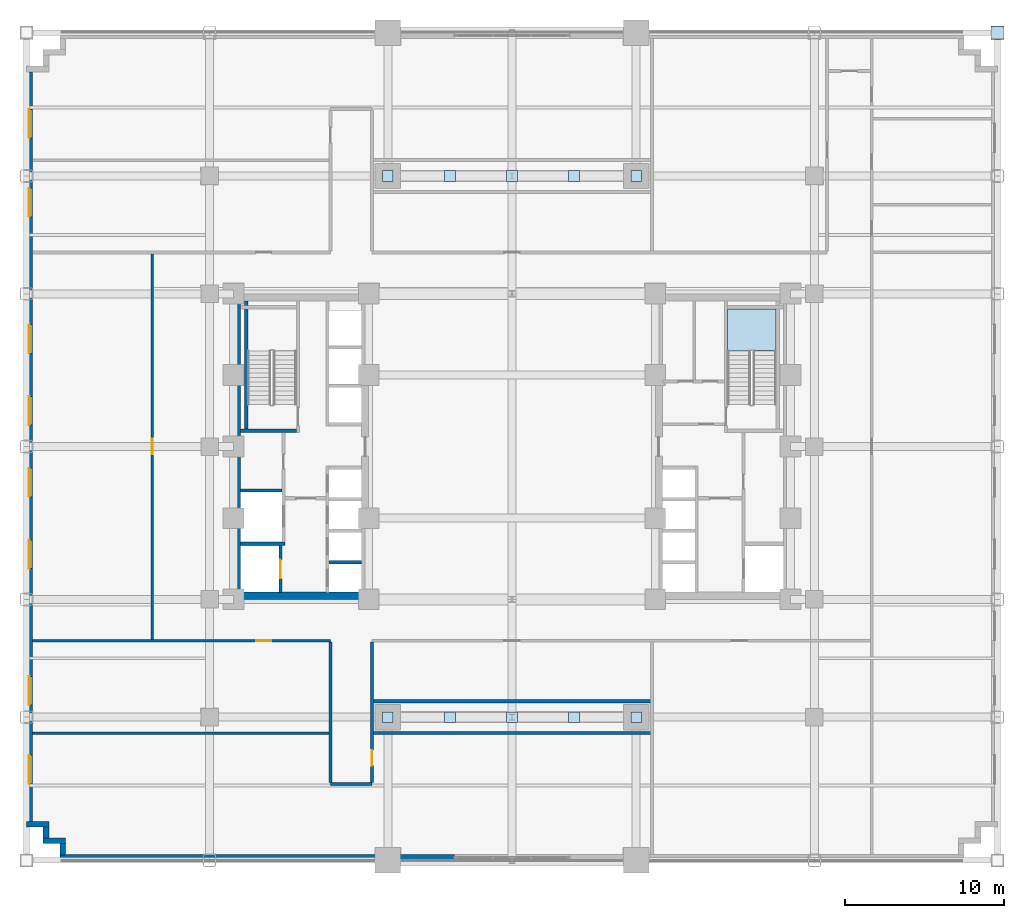
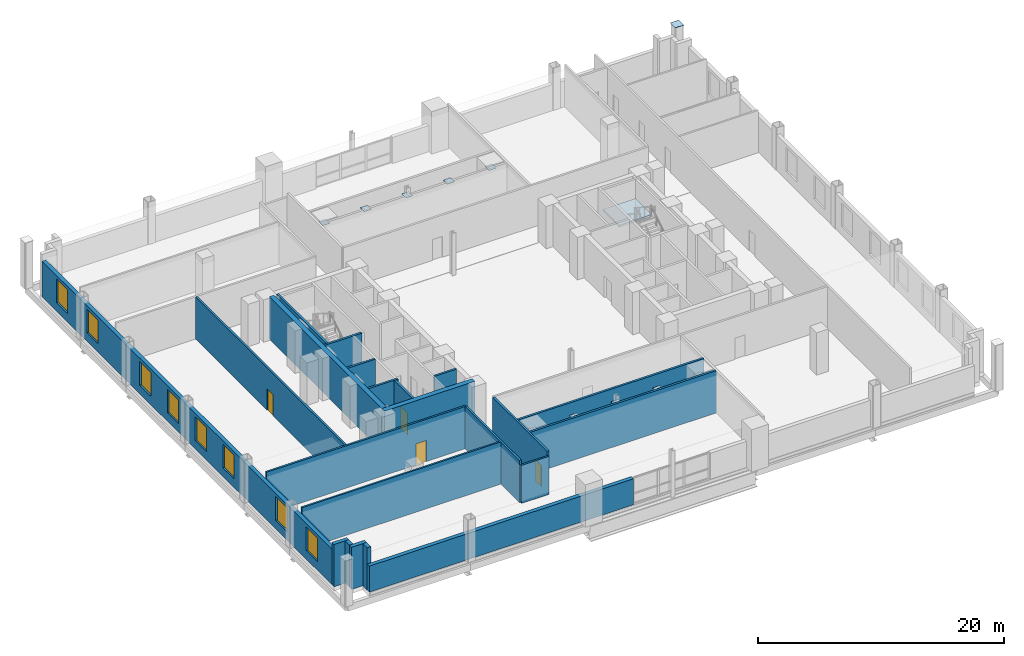
# One storey, part 6 of 17: 22 walls, 11 plates, 8 windows, 4 doors, 1 slab, 12 openings, 1 element without a shape of its own.
"""IFC4 building model written with IfcOpenShell, lengths in metres."""

from ifc_helpers import new_model, si_unit, direction, frame, frame_2d, origin, origin_2d, place, context, subcontext, project, spatial, polyline, rectangle, outline, extrude, source, transform, mapped, material, layer, layer_set, type_object, type_shapes, element, fill, aggregate, save


model = new_model("IFC4")

# Units and contexts
model_context = context("Model", 3, precision=1e-05, world=origin(), true_north=direction((0.0, 1.0)))
body_context = subcontext(model_context, "Body", "Model", "MODEL_VIEW")
ifc_project = project(units=[si_unit("LENGTHUNIT", "METRE"), si_unit("AREAUNIT", "SQUARE_METRE"), si_unit("VOLUMEUNIT", "CUBIC_METRE"), si_unit("PLANEANGLEUNIT", "RADIAN"), si_unit("MASSUNIT", "GRAM", prefix="KILO")], contexts=[model_context])

# Site, building, storey
site_placement = place(None, origin())
site = spatial("IfcSite", under=ifc_project, at=site_placement, CompositionType="ELEMENT")
building_placement = place(site_placement, origin())
building = spatial("IfcBuilding", under=site, at=building_placement, Name="Nuvemarco Arch Tower", CompositionType="ELEMENT")
storey_placement = place(building_placement, frame((0.0, 0.0, 18.39990234375)))
storey = spatial("IfcBuildingStorey", under=building, at=storey_placement, Name="L04", CompositionType="ELEMENT", Elevation=18.39990234375)

# Stair, slab
ifc_material_1 = material(Name="Precast concrete C45/55", Category="concrete")
stair_type = type_object("IfcStairType", Name="ST-CORE-26R", PredefinedType="HALF_TURN_STAIR", material=ifc_material_1)
stair_placement = place(storey_placement, origin())
stair = element("IfcStair", 1, at=stair_placement, inside=storey, type_object=stair_type, Name="L04 Protected Exit Stair ST-2", PredefinedType="HALF_TURN_STAIR")
ifc_layer_1 = layer(ifc_material_1, 0.199951171875, Name="SL-LANDING-200")
ifc_layer_set_1 = layer_set([ifc_layer_1], Name="Precast concrete C45/55")
slab_type = type_object("IfcSlabType", Name="SL-LANDING-200", PredefinedType="LANDING", material=ifc_layer_set_1)
slab_placement = place(storey_placement, frame((0.0, 0.0, 2.10009765625)))
slab = element("IfcSlab", 2, at=slab_placement, type_object=slab_type, Name="ST-26R landing 1", PredefinedType="LANDING", context=body_context, shape_type="SweptSolid", body=[
    extrude(outline(polyline([(16.60009765625, 6.029296875), (16.60009765625, 8.64990234375), (13.5400390625, 8.64990234375), (13.5400390625, 6.010009765625), (15.070068359375, 6.010009765625), (15.070068359375, 6.029296875), (16.60009765625, 6.029296875)])), origin(), (0.0, 0.0, 1.0), 0.199951171875),
])
aggregate(stair, [slab])

# Plates
ifc_material_2 = material(Name="Steel S355", Category="steel")
ifc_layer_2 = layer(ifc_material_2, 0.030029296875, Name="PL-CAP-650")
ifc_layer_set_2 = layer_set([ifc_layer_2], Name="Steel S355")
plate_type_1 = type_object("IfcPlateType", Name="PL-CAP-650", PredefinedType="SHEET", material=ifc_layer_set_2)
shared_shape_1 = source(origin(), body_context, "Body", "SweptSolid", [
    extrude(rectangle(XDim=0.669921875, YDim=0.669921875, at=origin_2d()), origin(), (0.0, 0.0, 1.0), 0.030029296875),
])
type_shapes(plate_type_1, [shared_shape_1])
for number, where, z_axis, x_axis, name in (
    (3, (-3.89990234375, -17.0, 3.38525390625), (0.0, 0.0, 1.0), (1.0, 0.0, 0.0), "Hollow steel end-cap plate AT_DG_L04_-17.0_0_C1"),
    (4, (3.89990234375, -17.0, 3.38525390625), (0.0, 0.0, 1.0), (1.0, 0.0, 0.0), "Hollow steel end-cap plate AT_DG_L04_-17.0_2_C1"),
    (5, (-7.800048828125, -17.0, 3.38525390625), (0.0, 0.0, 1.0), (1.0, 0.0, 0.0), "Hollow steel end-cap plate AT_DG_L05_-17.0_0_C0"),
    (6, (0.0, -17.0, 3.38525390625), (0.0, 0.0, 1.0), (1.0, 0.0, 0.0), "Hollow steel end-cap plate AT_DG_L05_-17.0_1_C1"),
    (7, (7.800048828125, -17.0, 3.38525390625), (0.0, 0.0, 1.0), (1.0, 0.0, 0.0), "Hollow steel end-cap plate AT_DG_L05_-17.0_3_C1"),
    (8, (-3.89990234375, 17.0, 3.38525390625), (0.0, 0.0, 1.0), (1.0, 0.0, 0.0), "Hollow steel end-cap plate AT_DG_L04_+17.0_0_C1"),
    (9, (3.89990234375, 17.0, 3.38525390625), (0.0, 0.0, 1.0), (1.0, 0.0, 0.0), "Hollow steel end-cap plate AT_DG_L04_+17.0_2_C1"),
    (10, (-7.800048828125, 17.0, 3.38525390625), (0.0, 0.0, 1.0), (1.0, 0.0, 0.0), "Hollow steel end-cap plate AT_DG_L05_+17.0_0_C0"),
    (11, (0.0, 17.0, 3.38525390625), (0.0, 0.0, 1.0), (1.0, 0.0, 0.0), "Hollow steel end-cap plate AT_DG_L05_+17.0_1_C1"),
    (12, (7.800048828125, 17.0, 3.38525390625), (0.0, 0.0, 1.0), (1.0, 0.0, 0.0), "Hollow steel end-cap plate AT_DG_L05_+17.0_3_C1"),
):
    element("IfcPlate", number, at=place(storey_placement, frame(where, z_axis=z_axis, x_axis=x_axis)), inside=storey, type_object=plate_type_1, Name=name, PredefinedType="SHEET", context=body_context, shape_type="MappedRepresentation", body=[
        mapped(shared_shape_1, transform((0.0, 0.0, 0.0), scale=1.0)),
    ])
ifc_material_3 = material(Name="Steel S460", Category="steel")
ifc_layer_3 = layer(ifc_material_3, 0.030029296875, Name="PL-CAP-800-EXT")
ifc_layer_set_3 = layer_set([ifc_layer_3], Name="Steel S460")
plate_type_2 = type_object("IfcPlateType", Name="PL-CAP-800-EXT", PredefinedType="SHEET", material=ifc_layer_set_3)
shared_shape_2 = source(origin(), body_context, "Body", "SweptSolid", [
    extrude(rectangle(XDim=0.820068359375, YDim=0.820068359375, at=origin_2d()), origin(), (0.0, 0.0, 1.0), 0.030029296875),
])
type_shapes(plate_type_2, [shared_shape_2])
plate_placement = place(storey_placement, frame((30.5, 26.0, 4.18505859375), z_axis=(0.0, 0.0, 1.0), x_axis=(1.0, 0.0, 0.0)))
element("IfcPlate", 13, at=plate_placement, inside=storey, type_object=plate_type_2, Name="Hollow steel end-cap plate COL-L04-CP_+30.5_+26.0_TOP", PredefinedType="SHEET", context=body_context, shape_type="MappedRepresentation", body=[
    mapped(shared_shape_2, transform((0.0, 0.0, 0.0), scale=1.0)),
])

# Wall
ifc_layer_4 = layer(ifc_material_1, 0.360107421875, Name="EW-POD-360")
ifc_layer_set_4 = layer_set([ifc_layer_4], Name="Precast concrete C45/55")
wall_type_1 = type_object("IfcWallType", Name="EW-POD-360", PredefinedType="STANDARD", material=ifc_layer_set_4)
wall_1_placement = place(storey_placement, frame((-28.39990234375, -25.820068359375, 0.0), z_axis=(0.0, 0.0, 1.0), x_axis=(1.0, 0.0, 0.0)))
element("IfcWall", 14, at=wall_1_placement, inside=storey, type_object=wall_type_1, Name="L04 exterior precast pier wall south left", PredefinedType="STANDARD", context=body_context, shape_type="SweptSolid", body=[
    extrude(rectangle(XDim=24.7998046875, YDim=0.360107421875, at=frame_2d((12.39990234375, 0.0))), origin(), (0.0, 0.0, 1.0), 2.585205078125),
])

# Wall, openings, windows
wall_2_placement = place(storey_placement, frame((-30.320068359375, -23.5439453125, 0.0), z_axis=(0.0, 0.0, 1.0), x_axis=(0.0, 1.0, 0.0)))
wall_2 = element("IfcWall", 15, at=wall_2_placement, inside=storey, type_object=wall_type_1, Name="L04 exterior precast facade wall 16", PredefinedType="STANDARD", context=body_context, shape_type="SweptSolid", body=[
    extrude(rectangle(XDim=47.087890625, YDim=0.360107421875, at=frame_2d((23.5439453125, 0.0))), origin(), (0.0, 0.0, 1.0), 3.53515625),
])
opening_1_placement = place(wall_2_placement, frame((2.3544921875, 0.0, 0.85009765625)))
opening_1 = element("IfcOpeningElement", 16, at=opening_1_placement, cuts=wall_2, Name="Opening WN-2", PredefinedType="OPENING", context=body_context, shape_type="SweptSolid", body=[
    extrude(rectangle(XDim=1.800048828125, YDim=2.35009765625, at=frame_2d((0.89990234375, 1.175048828125))), frame((0.0, 0.18994140625, 0.0), z_axis=(0.0, -1.0, 0.0), x_axis=(1.0, 0.0, 0.0)), (0.0, 0.0, 1.0), 0.380126953125),
])
opening_2_placement = place(wall_2_placement, frame((7.313232421875, 0.0, 0.85009765625)))
opening_2 = element("IfcOpeningElement", 17, at=opening_2_placement, cuts=wall_2, Name="Opening WN-2", PredefinedType="OPENING", context=body_context, shape_type="SweptSolid", body=[
    extrude(rectangle(XDim=1.800048828125, YDim=2.35009765625, at=frame_2d((0.89990234375, 1.175048828125))), frame((0.0, 0.18994140625, 0.0), z_axis=(0.0, -1.0, 0.0), x_axis=(1.0, 0.0, 0.0)), (0.0, 0.0, 1.0), 0.380126953125),
])
opening_3_placement = place(wall_2_placement, frame((15.880859375, 0.0, 0.85009765625)))
opening_3 = element("IfcOpeningElement", 18, at=opening_3_placement, cuts=wall_2, Name="Opening WN-2", PredefinedType="OPENING", context=body_context, shape_type="SweptSolid", body=[
    extrude(rectangle(XDim=1.800048828125, YDim=2.35009765625, at=frame_2d((0.89990234375, 1.175048828125))), frame((0.0, 0.18994140625, 0.0), z_axis=(0.0, -1.0, 0.0), x_axis=(1.0, 0.0, 0.0)), (0.0, 0.0, 1.0), 0.380126953125),
])
opening_4_placement = place(wall_2_placement, frame((20.3896484375, 0.0, 0.85009765625)))
opening_4 = element("IfcOpeningElement", 19, at=opening_4_placement, cuts=wall_2, Name="Opening WN-2", PredefinedType="OPENING", context=body_context, shape_type="SweptSolid", body=[
    extrude(rectangle(XDim=1.800048828125, YDim=2.35009765625, at=frame_2d((0.89990234375, 1.175048828125))), frame((0.0, 0.18994140625, 0.0), z_axis=(0.0, -1.0, 0.0), x_axis=(1.0, 0.0, 0.0)), (0.0, 0.0, 1.0), 0.380126953125),
])
opening_5_placement = place(wall_2_placement, frame((24.8984375, 0.0, 0.85009765625)))
opening_5 = element("IfcOpeningElement", 20, at=opening_5_placement, cuts=wall_2, Name="Opening WN-2", PredefinedType="OPENING", context=body_context, shape_type="SweptSolid", body=[
    extrude(rectangle(XDim=1.800048828125, YDim=2.35009765625, at=frame_2d((0.89990234375, 1.175048828125))), frame((0.0, 0.18994140625, 0.0), z_axis=(0.0, -1.0, 0.0), x_axis=(1.0, 0.0, 0.0)), (0.0, 0.0, 1.0), 0.380126953125),
])
opening_6_placement = place(wall_2_placement, frame((29.4072265625, 0.0, 0.85009765625)))
opening_6 = element("IfcOpeningElement", 21, at=opening_6_placement, cuts=wall_2, Name="Opening WN-2", PredefinedType="OPENING", context=body_context, shape_type="SweptSolid", body=[
    extrude(rectangle(XDim=1.800048828125, YDim=2.35009765625, at=frame_2d((0.89990234375, 1.175048828125))), frame((0.0, 0.18994140625, 0.0), z_axis=(0.0, -1.0, 0.0), x_axis=(1.0, 0.0, 0.0)), (0.0, 0.0, 1.0), 0.380126953125),
])
opening_7_placement = place(wall_2_placement, frame((37.974853515625, 0.0, 0.85009765625)))
opening_7 = element("IfcOpeningElement", 22, at=opening_7_placement, cuts=wall_2, Name="Opening WN-2", PredefinedType="OPENING", context=body_context, shape_type="SweptSolid", body=[
    extrude(rectangle(XDim=1.800048828125, YDim=2.35009765625, at=frame_2d((0.89990234375, 1.175048828125))), frame((0.0, 0.18994140625, 0.0), z_axis=(0.0, -1.0, 0.0), x_axis=(1.0, 0.0, 0.0)), (0.0, 0.0, 1.0), 0.380126953125),
])
opening_8_placement = place(wall_2_placement, frame((42.93359375, 0.0, 0.85009765625)))
opening_8 = element("IfcOpeningElement", 23, at=opening_8_placement, cuts=wall_2, Name="Opening WN-2", PredefinedType="OPENING", context=body_context, shape_type="SweptSolid", body=[
    extrude(rectangle(XDim=1.800048828125, YDim=2.35009765625, at=frame_2d((0.89990234375, 1.175048828125))), frame((0.0, 0.18994140625, 0.0), z_axis=(0.0, -1.0, 0.0), x_axis=(1.0, 0.0, 0.0)), (0.0, 0.0, 1.0), 0.380126953125),
])
ifc_material_4 = material(Name="Insulated solar-control glass", Category="glass")
window_type = type_object("IfcWindowType", Name="WN-POD-1800x2350", PartitioningType="DOUBLE_PANEL_VERTICAL", PredefinedType="WINDOW", material=ifc_material_4)
shared_shape_3 = source(origin(), body_context, "Body", "SweptSolid", [
    extrude(rectangle(XDim=1.800048828125, YDim=2.35009765625, at=frame_2d((0.89990234375, 1.175048828125))), frame((0.0, 0.030029296875, 0.0), z_axis=(0.0, -1.0, 0.0), x_axis=(1.0, 0.0, 0.0)), (0.0, 0.0, 1.0), 0.06005859375),
])
type_shapes(window_type, [shared_shape_3])
window_1_placement = place(opening_1_placement, origin())
window_1 = element("IfcWindow", 24, at=window_1_placement, inside=storey, type_object=window_type, Name="L04 punched facade window 1", OverallHeight=2.35009765625, OverallWidth=1.800048828125, PartitioningType="SINGLE_PANEL", PredefinedType="WINDOW", context=body_context, shape_type="MappedRepresentation", body=[
    mapped(shared_shape_3, transform((0.0, 0.0, 0.0), scale=1.0)),
])
fill(opening_1, window_1)
window_2_placement = place(opening_2_placement, origin())
window_2 = element("IfcWindow", 25, at=window_2_placement, inside=storey, type_object=window_type, Name="L04 punched facade window 2", OverallHeight=2.35009765625, OverallWidth=1.800048828125, PartitioningType="SINGLE_PANEL", PredefinedType="WINDOW", context=body_context, shape_type="MappedRepresentation", body=[
    mapped(shared_shape_3, transform((0.0, 0.0, 0.0), scale=1.0)),
])
fill(opening_2, window_2)
window_3_placement = place(opening_3_placement, origin())
window_3 = element("IfcWindow", 26, at=window_3_placement, inside=storey, type_object=window_type, Name="L04 punched facade window 4", OverallHeight=2.35009765625, OverallWidth=1.800048828125, PartitioningType="SINGLE_PANEL", PredefinedType="WINDOW", context=body_context, shape_type="MappedRepresentation", body=[
    mapped(shared_shape_3, transform((0.0, 0.0, 0.0), scale=1.0)),
])
fill(opening_3, window_3)
window_4_placement = place(opening_4_placement, origin())
window_4 = element("IfcWindow", 27, at=window_4_placement, inside=storey, type_object=window_type, Name="L04 punched facade window 5", OverallHeight=2.35009765625, OverallWidth=1.800048828125, PartitioningType="SINGLE_PANEL", PredefinedType="WINDOW", context=body_context, shape_type="MappedRepresentation", body=[
    mapped(shared_shape_3, transform((0.0, 0.0, 0.0), scale=1.0)),
])
fill(opening_4, window_4)
window_5_placement = place(opening_5_placement, origin())
window_5 = element("IfcWindow", 28, at=window_5_placement, inside=storey, type_object=window_type, Name="L04 punched facade window 6", OverallHeight=2.35009765625, OverallWidth=1.800048828125, PartitioningType="SINGLE_PANEL", PredefinedType="WINDOW", context=body_context, shape_type="MappedRepresentation", body=[
    mapped(shared_shape_3, transform((0.0, 0.0, 0.0), scale=1.0)),
])
fill(opening_5, window_5)
window_6_placement = place(opening_6_placement, origin())
window_6 = element("IfcWindow", 29, at=window_6_placement, inside=storey, type_object=window_type, Name="L04 punched facade window 7", OverallHeight=2.35009765625, OverallWidth=1.800048828125, PartitioningType="SINGLE_PANEL", PredefinedType="WINDOW", context=body_context, shape_type="MappedRepresentation", body=[
    mapped(shared_shape_3, transform((0.0, 0.0, 0.0), scale=1.0)),
])
fill(opening_6, window_6)
window_7_placement = place(opening_7_placement, origin())
window_7 = element("IfcWindow", 30, at=window_7_placement, inside=storey, type_object=window_type, Name="L04 punched facade window 9", OverallHeight=2.35009765625, OverallWidth=1.800048828125, PartitioningType="SINGLE_PANEL", PredefinedType="WINDOW", context=body_context, shape_type="MappedRepresentation", body=[
    mapped(shared_shape_3, transform((0.0, 0.0, 0.0), scale=1.0)),
])
fill(opening_7, window_7)
window_8_placement = place(opening_8_placement, origin())
window_8 = element("IfcWindow", 31, at=window_8_placement, inside=storey, type_object=window_type, Name="L04 punched facade window 10", OverallHeight=2.35009765625, OverallWidth=1.800048828125, PartitioningType="SINGLE_PANEL", PredefinedType="WINDOW", context=body_context, shape_type="MappedRepresentation", body=[
    mapped(shared_shape_3, transform((0.0, 0.0, 0.0), scale=1.0)),
])
fill(opening_8, window_8)

# Walls
wall_3_placement = place(storey_placement, frame((-30.5, -23.719970703125, 0.0), z_axis=(0.0, 0.0, 1.0), x_axis=(1.0, 0.0, 0.0)))
element("IfcWall", 32, at=wall_3_placement, inside=storey, type_object=wall_type_1, Name="L04 exterior precast facade wall 17", PredefinedType="STANDARD", context=body_context, shape_type="SweptSolid", body=[
    extrude(rectangle(XDim=1.409912109375, YDim=0.360107421875, at=frame_2d((0.705078125, 0.0))), origin(), (0.0, 0.0, 1.0), 4.190185546875),
])
wall_4_placement = place(storey_placement, frame((-29.27001953125, -24.593994140625, 0.0), z_axis=(0.0, 0.0, 1.0), x_axis=(0.0, 1.0, 0.0)))
element("IfcWall", 33, at=wall_4_placement, inside=storey, type_object=wall_type_1, Name="L04 exterior precast facade wall 18", PredefinedType="STANDARD", context=body_context, shape_type="SweptSolid", body=[
    extrude(rectangle(XDim=0.697998046875, YDim=0.360107421875, at=frame_2d((0.34912109375, 0.0))), origin(), (0.0, 0.0, 1.0), 4.190185546875),
])
wall_5_placement = place(storey_placement, frame((-29.449951171875, -24.77001953125, 0.0), z_axis=(0.0, 0.0, 1.0), x_axis=(1.0, 0.0, 0.0)))
element("IfcWall", 34, at=wall_5_placement, inside=storey, type_object=wall_type_1, Name="L04 exterior precast facade wall 19", PredefinedType="STANDARD", context=body_context, shape_type="SweptSolid", body=[
    extrude(rectangle(XDim=1.409912109375, YDim=0.360107421875, at=frame_2d((0.705078125, 0.0))), origin(), (0.0, 0.0, 1.0), 4.190185546875),
])
wall_6_placement = place(storey_placement, frame((-28.219970703125, -25.64404296875, 0.0), z_axis=(0.0, 0.0, 1.0), x_axis=(0.0, 1.0, 0.0)))
element("IfcWall", 35, at=wall_6_placement, inside=storey, type_object=wall_type_1, Name="L04 exterior precast facade wall 20", PredefinedType="STANDARD", context=body_context, shape_type="SweptSolid", body=[
    extrude(rectangle(XDim=0.697998046875, YDim=0.360107421875, at=frame_2d((0.34912109375, 0.0))), origin(), (0.0, 0.0, 1.0), 4.190185546875),
])
ifc_material_5 = material(Name="Concrete C60/75", Category="concrete")
ifc_layer_5 = layer(ifc_material_5, 0.449951171875, Name="WL-CORE-450")
ifc_layer_set_5 = layer_set([ifc_layer_5], Name="Concrete C60/75")
wall_type_2 = type_object("IfcWallType", Name="WL-CORE-450", PredefinedType="SHEAR", material=ifc_layer_set_5)
wall_7_placement = place(storey_placement, frame((-17.5, -9.375, 0.0), z_axis=(0.0, 0.0, 1.0), x_axis=(1.0, 0.0, 0.0)))
element("IfcWall", 36, at=wall_7_placement, inside=storey, type_object=wall_type_2, Name="L04 W-core shear wall S", PredefinedType="SHEAR", context=body_context, shape_type="SweptSolid", body=[
    extrude(rectangle(XDim=8.5, YDim=0.449951171875, at=frame_2d((4.25, 0.0))), origin(), (0.0, 0.0, 1.0), 4.2001953125),
])
wall_8_placement = place(storey_placement, frame((-17.27490234375, -9.155029296875, 0.0), z_axis=(0.0, 0.0, 1.0), x_axis=(0.0, 1.0, 0.0)))
element("IfcWall", 37, at=wall_8_placement, inside=storey, type_object=wall_type_2, Name="L04 W-core shear wall W", PredefinedType="SHEAR", context=body_context, shape_type="SweptSolid", body=[
    extrude(rectangle(XDim=18.31005859375, YDim=0.449951171875, at=frame_2d((9.155029296875, 0.0))), origin(), (0.0, 0.0, 1.0), 4.2001953125),
])
ifc_material_6 = material(Name="Fire-rated gypsum drywall partition")
ifc_layer_6 = layer(ifc_material_6, 0.179931640625, Name="WL-CORR-180")
ifc_layer_set_6 = layer_set([ifc_layer_6], Name="Fire-rated gypsum drywall partition")
wall_type_3 = type_object("IfcWallType", Name="WL-CORR-180", PredefinedType="PARTITIONING", material=ifc_layer_set_6)
wall_9_placement = place(storey_placement, frame((-11.39990234375, -21.199951171875, 0.0), z_axis=(0.0, 0.0, 1.0), x_axis=(1.0, 0.0, 0.0)))
element("IfcWall", 38, at=wall_9_placement, inside=storey, type_object=wall_type_3, Name="L04 interior wall IW-L04-001", PredefinedType="PARTITIONING", context=body_context, shape_type="SweptSolid", body=[
    extrude(rectangle(XDim=2.599853515625, YDim=0.179931640625, at=frame_2d((1.2998046875, 0.0))), origin(), (0.0, 0.0, 1.0), 3.772216796875),
])

# Wall, opening, door
wall_10_placement = place(storey_placement, frame((-30.139892578125, -12.199951171875, 0.0), z_axis=(0.0, 0.0, 1.0), x_axis=(1.0, 0.0, 0.0)))
wall_10 = element("IfcWall", 39, at=wall_10_placement, inside=storey, type_object=wall_type_3, Name="L04 interior wall IW-L04-005", PredefinedType="PARTITIONING", context=body_context, shape_type="SweptSolid", body=[
    extrude(rectangle(XDim=18.739990234375, YDim=0.179931640625, at=frame_2d((9.3701171875, 0.0))), origin(), (0.0, 0.0, 1.0), 4.190185546875),
])
opening_9_placement = place(wall_10_placement, frame((14.06005859375, 0.0, 0.0)))
opening_9 = element("IfcOpeningElement", 40, at=opening_9_placement, cuts=wall_10, Name="Opening FD-5", PredefinedType="OPENING", context=body_context, shape_type="SweptSolid", body=[
    extrude(rectangle(XDim=0.9599609375, YDim=2.10009765625, at=frame_2d((0.47998046875, 1.050048828125))), frame((0.0, 0.099853515625, 0.0), z_axis=(0.0, -1.0, 0.0), x_axis=(1.0, 0.0, 0.0)), (0.0, 0.0, 1.0), 0.199951171875),
])
ifc_material_7 = material(Name="Timber fire door", Category="wood")
door_type_1 = type_object("IfcDoorType", Name="DR-CORR-FD", OperationType="NOTDEFINED", PredefinedType="DOOR", material=ifc_material_7)
shared_shape_4 = source(origin(), body_context, "Body", "SweptSolid", [
    extrude(rectangle(XDim=0.9599609375, YDim=2.10009765625, at=frame_2d((0.47998046875, 1.050048828125))), frame((0.0, 0.02490234375, 0.0), z_axis=(0.0, -1.0, 0.0), x_axis=(1.0, 0.0, 0.0)), (0.0, 0.0, 1.0), 0.050048828125),
])
type_shapes(door_type_1, [shared_shape_4])
door_1_placement = place(opening_9_placement, origin())
door_1 = element("IfcDoor", 41, at=door_1_placement, inside=storey, type_object=door_type_1, Name="L04 door DR-L04-BRG_SW_OFF", OperationType="SINGLE_SWING_LEFT", OverallHeight=2.10009765625, OverallWidth=0.9599609375, PredefinedType="DOOR", context=body_context, shape_type="MappedRepresentation", body=[
    mapped(shared_shape_4, transform((0.0, 0.0, 0.0), scale=1.0)),
])
fill(opening_9, door_1)

wall_11_placement = place(storey_placement, frame((-22.60009765625, -12.114013671875, 0.0), z_axis=(0.0, 0.0, 1.0), x_axis=(0.0, 1.0, 0.0)))
wall_11 = element("IfcWall", 42, at=wall_11_placement, inside=storey, type_object=wall_type_3, Name="L04 interior wall IW-L04-017", PredefinedType="PARTITIONING", context=body_context, shape_type="SweptSolid", body=[
    extrude(rectangle(XDim=24.22802734375, YDim=0.179931640625, at=frame_2d((12.114013671875, 0.0))), origin(), (0.0, 0.0, 1.0), 4.190185546875),
])
opening_10_placement = place(wall_11_placement, frame((11.634033203125, 0.0, 0.0)))
opening_10 = element("IfcOpeningElement", 43, at=opening_10_placement, cuts=wall_11, Name="Opening FD-5", PredefinedType="OPENING", context=body_context, shape_type="SweptSolid", body=[
    extrude(rectangle(XDim=0.9599609375, YDim=2.10009765625, at=frame_2d((0.47998046875, 1.050048828125))), frame((0.0, 0.099853515625, 0.0), z_axis=(0.0, -1.0, 0.0), x_axis=(1.0, 0.0, 0.0)), (0.0, 0.0, 1.0), 0.199951171875),
])
door_2_placement = place(opening_10_placement, origin())
door_2 = element("IfcDoor", 44, at=door_2_placement, inside=storey, type_object=door_type_1, Name="L04 door DR-L04-BRG_WOFF", OperationType="SINGLE_SWING_RIGHT", OverallHeight=2.10009765625, OverallWidth=0.9599609375, PredefinedType="DOOR", context=body_context, shape_type="MappedRepresentation", body=[
    mapped(shared_shape_4, transform((0.0, 0.0, 0.0), scale=1.0)),
])
fill(opening_10, door_2)

# Walls
wall_12_placement = place(storey_placement, frame((-11.39990234375, -21.114013671875, 0.0), z_axis=(0.0, 0.0, 1.0), x_axis=(0.0, 1.0, 0.0)))
element("IfcWall", 45, at=wall_12_placement, inside=storey, type_object=wall_type_3, Name="L04 interior wall IW-L04-018", PredefinedType="PARTITIONING", context=body_context, shape_type="SweptSolid", body=[
    extrude(rectangle(XDim=8.828125, YDim=0.179931640625, at=frame_2d((4.4140625, 0.0))), origin(), (0.0, 0.0, 1.0), 4.190185546875),
])
ifc_layer_7 = layer(ifc_material_1, 0.199951171875, Name="WL-PLANT-200")
ifc_layer_set_7 = layer_set([ifc_layer_7], Name="Precast concrete C45/55")
wall_type_4 = type_object("IfcWallType", Name="WL-PLANT-200", PredefinedType="STANDARD", material=ifc_layer_set_7)
for number, where, z_axis, x_axis, name in (
    (46, (-8.714111328125, -18.0, 0.0), (0.0, 0.0, 1.0), (1.0, 0.0, 0.0), "L04 interior wall IW-L04-003"),
    (47, (-8.714111328125, -16.0, 0.0), (0.0, 0.0, 1.0), (1.0, 0.0, 0.0), "L04 interior wall IW-L04-004"),
):
    element("IfcWall", number, at=place(storey_placement, frame(where, z_axis=z_axis, x_axis=x_axis)), inside=storey, type_object=wall_type_4, Name=name, PredefinedType="STANDARD", context=body_context, shape_type="SweptSolid", body=[
        extrude(rectangle(XDim=17.447998046875, YDim=0.199951171875, at=frame_2d((8.72412109375, 0.0))), origin(), (0.0, 0.0, 1.0), 4.190185546875),
    ])

# Wall, opening, door
wall_13_placement = place(storey_placement, frame((-8.800048828125, -21.114013671875, 0.0), z_axis=(0.0, 0.0, 1.0), x_axis=(0.0, 1.0, 0.0)))
wall_13 = element("IfcWall", 48, at=wall_13_placement, inside=storey, type_object=wall_type_4, Name="L04 interior wall IW-L04-020", PredefinedType="STANDARD", context=body_context, shape_type="SweptSolid", body=[
    extrude(rectangle(XDim=8.828125, YDim=0.199951171875, at=frame_2d((4.4140625, 0.0))), origin(), (0.0, 0.0, 1.0), 4.190185546875),
])
opening_11_placement = place(wall_13_placement, frame((1.076904296875, 0.0, 0.0)))
opening_11 = element("IfcOpeningElement", 49, at=opening_11_placement, cuts=wall_13, Name="Opening FD-5", PredefinedType="OPENING", context=body_context, shape_type="SweptSolid", body=[
    extrude(rectangle(XDim=0.9599609375, YDim=2.10009765625, at=frame_2d((0.47998046875, 1.050048828125))), frame((0.0, 0.10986328125, 0.0), z_axis=(0.0, -1.0, 0.0), x_axis=(1.0, 0.0, 0.0)), (0.0, 0.0, 1.0), 0.219970703125),
])
door_3_placement = place(opening_11_placement, origin())
door_3 = element("IfcDoor", 50, at=door_3_placement, inside=storey, type_object=door_type_1, Name="L04 door DR-L04-BRG_CONF", OperationType="SINGLE_SWING_RIGHT", OverallHeight=2.10009765625, OverallWidth=0.9599609375, PredefinedType="DOOR", context=body_context, shape_type="MappedRepresentation", body=[
    mapped(shared_shape_4, transform((0.0, 0.0, 0.0), scale=1.0)),
])
fill(opening_11, door_3)

# Walls
ifc_material_8 = material(Name="Concrete C50/60", Category="concrete")
ifc_layer_8 = layer(ifc_material_8, 0.199951171875, Name="WL-SHAFT-220")
ifc_layer_set_8 = layer_set([ifc_layer_8], Name="Concrete C50/60")
wall_type_5 = type_object("IfcWallType", Name="WL-SHAFT-220", PredefinedType="SHEAR", material=ifc_layer_set_8)
wall_14_placement = place(storey_placement, frame((-17.054931640625, 1.0, 0.0), z_axis=(0.0, 0.0, 1.0), x_axis=(1.0, 0.0, 0.0)))
element("IfcWall", 51, at=wall_14_placement, inside=storey, type_object=wall_type_5, Name="L04 structural shaft wall SW-L04-W-ST1S", PredefinedType="SHEAR", context=body_context, shape_type="SweptSolid", body=[
    extrude(rectangle(XDim=3.52001953125, YDim=0.199951171875, at=frame_2d((1.760009765625, 0.0))), origin(), (0.0, 0.0, 1.0), 4.2001953125),
])
wall_15_placement = place(storey_placement, frame((-16.699951171875, 1.094970703125, 0.0), z_axis=(0.0, 0.0, 1.0), x_axis=(0.0, 1.0, 0.0)))
element("IfcWall", 52, at=wall_15_placement, inside=storey, type_object=wall_type_5, Name="L04 structural shaft wall SW-L04-W-ST1W", PredefinedType="SHEAR", context=body_context, shape_type="SweptSolid", body=[
    extrude(rectangle(XDim=8.06005859375, YDim=0.199951171875, at=frame_2d((4.030029296875, 0.0))), origin(), (0.0, 0.0, 1.0), 4.2001953125),
])

# Wall, opening, door
wall_16_placement = place(storey_placement, frame((-14.550048828125, -9.155029296875, 0.0), z_axis=(0.0, 0.0, 1.0), x_axis=(0.0, 1.0, 0.0)))
wall_16 = element("IfcWall", 53, at=wall_16_placement, inside=storey, type_object=wall_type_5, Name="L04 structural shaft wall SW-L04-W-SHE", PredefinedType="SHEAR", context=body_context, shape_type="SweptSolid", body=[
    extrude(rectangle(XDim=2.9599609375, YDim=0.199951171875, at=frame_2d((1.47998046875, 0.0))), origin(), (0.0, 0.0, 1.0), 4.2001953125),
])
opening_12_placement = place(wall_16_placement, frame((0.8798828125, 0.0, 0.0)))
opening_12 = element("IfcOpeningElement", 54, at=opening_12_placement, cuts=wall_16, Name="Opening LD-2", PredefinedType="OPENING", context=body_context, shape_type="SweptSolid", body=[
    extrude(rectangle(XDim=1.14990234375, YDim=2.14990234375, at=frame_2d((0.574951171875, 1.074951171875))), frame((0.0, 0.10986328125, 0.0), z_axis=(0.0, -1.0, 0.0), x_axis=(1.0, 0.0, 0.0)), (0.0, 0.0, 1.0), 0.219970703125),
])
ifc_material_9 = material(Name="Stainless steel lift door", Category="steel")
door_type_2 = type_object("IfcDoorType", Name="DR-LIFT-FIRE", OperationType="DOUBLE_DOOR_SLIDING", PredefinedType="DOOR", material=ifc_material_9)
shared_shape_5 = source(origin(), body_context, "Body", "SweptSolid", [
    extrude(rectangle(XDim=1.14990234375, YDim=2.14990234375, at=frame_2d((0.574951171875, 1.074951171875))), frame((0.0, 0.02490234375, 0.0), z_axis=(0.0, -1.0, 0.0), x_axis=(1.0, 0.0, 0.0)), (0.0, 0.0, 1.0), 0.050048828125),
])
type_shapes(door_type_2, [shared_shape_5])
door_4_placement = place(opening_12_placement, origin())
door_4 = element("IfcDoor", 55, at=door_4_placement, inside=storey, type_object=door_type_2, Name="L04 Lift landing sliding door FFL-1", OperationType="DOUBLE_DOOR_SLIDING", OverallHeight=2.14990234375, OverallWidth=1.14990234375, PredefinedType="DOOR", context=body_context, shape_type="MappedRepresentation", body=[
    mapped(shared_shape_5, transform((0.0, 0.0, 0.0), scale=1.0)),
])
fill(opening_12, door_4)

# Walls
wall_17_placement = place(storey_placement, frame((-17.054931640625, -6.10009765625, 0.0), z_axis=(0.0, 0.0, 1.0), x_axis=(1.0, 0.0, 0.0)))
element("IfcWall", 56, at=wall_17_placement, inside=storey, type_object=wall_type_5, Name="L04 structural shaft wall SW-L04-W-SH1", PredefinedType="SHEAR", context=body_context, shape_type="SweptSolid", body=[
    extrude(rectangle(XDim=2.804931640625, YDim=0.199951171875, at=frame_2d((1.40234375, 0.0))), origin(), (0.0, 0.0, 1.0), 4.2001953125),
])
wall_18_placement = place(storey_placement, frame((-17.054931640625, -2.75, 0.0), z_axis=(0.0, 0.0, 1.0), x_axis=(1.0, 0.0, 0.0)))
element("IfcWall", 57, at=wall_18_placement, inside=storey, type_object=wall_type_5, Name="L04 structural shaft wall SW-L04-W-SH2", PredefinedType="SHEAR", context=body_context, shape_type="SweptSolid", body=[
    extrude(rectangle(XDim=2.60986328125, YDim=0.199951171875, at=frame_2d((1.304931640625, 0.0))), origin(), (0.0, 0.0, 1.0), 4.2001953125),
])
wall_19_placement = place(storey_placement, frame((-11.5048828125, -7.27001953125, 0.0), z_axis=(0.0, 0.0, 1.0), x_axis=(1.0, 0.0, 0.0)))
element("IfcWall", 58, at=wall_19_placement, inside=storey, type_object=wall_type_5, Name="L04 structural shaft wall SW-L04-W-PLD1", PredefinedType="SHEAR", context=body_context, shape_type="SweptSolid", body=[
    extrude(rectangle(XDim=2.059814453125, YDim=0.199951171875, at=frame_2d((1.02978515625, 0.0))), origin(), (0.0, 0.0, 1.0), 4.2001953125),
])
ifc_material_10 = material(Name="Acoustic gypsum drywall partition")
ifc_layer_9 = layer(ifc_material_10, 0.159912109375, Name="WL-TENANT-160")
ifc_layer_set_9 = layer_set([ifc_layer_9], Name="Acoustic gypsum drywall partition")
wall_type_6 = type_object("IfcWallType", Name="WL-TENANT-160", PredefinedType="PARTITIONING", material=ifc_layer_set_9)
wall_20_placement = place(storey_placement, frame((-30.139892578125, -18.0, 0.0), z_axis=(0.0, 0.0, 1.0), x_axis=(1.0, 0.0, 0.0)))
element("IfcWall", 59, at=wall_20_placement, inside=storey, type_object=wall_type_6, Name="L04 interior wall IW-L04-002", PredefinedType="PARTITIONING", context=body_context, shape_type="SweptSolid", body=[
    extrude(rectangle(XDim=18.65380859375, YDim=0.159912109375, at=frame_2d((9.326904296875, 0.0))), origin(), (0.0, 0.0, 1.0), 4.190185546875),
])

save(model, "model.ifc")
